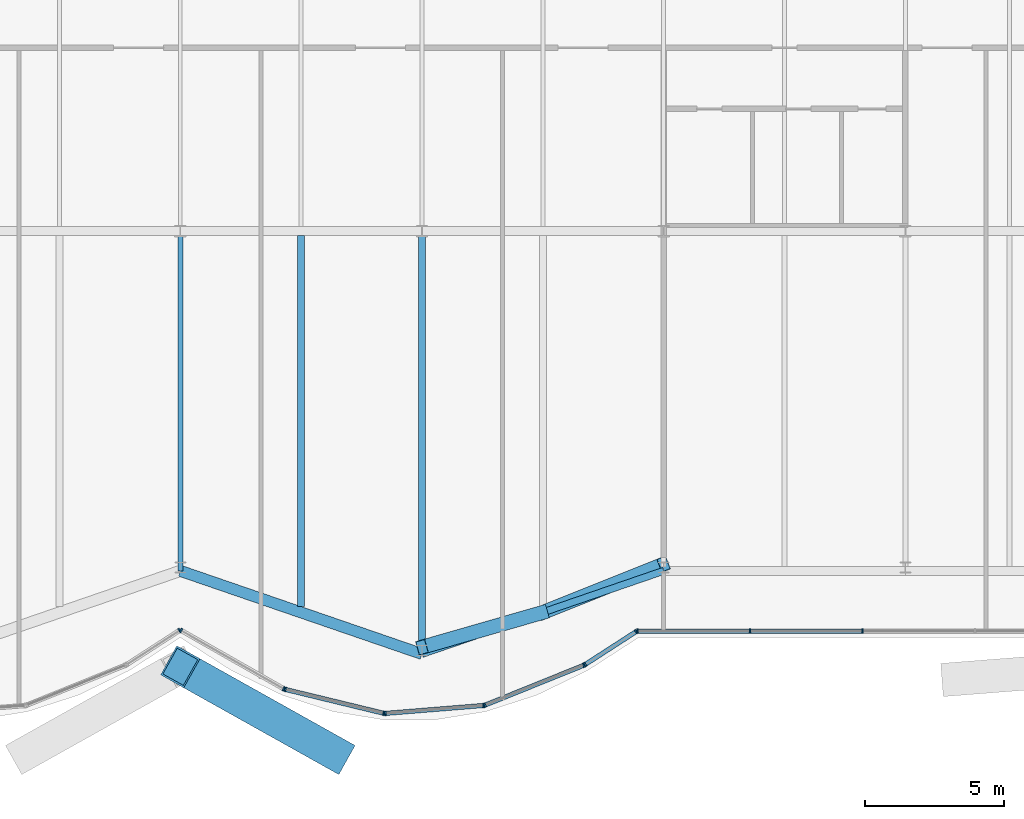
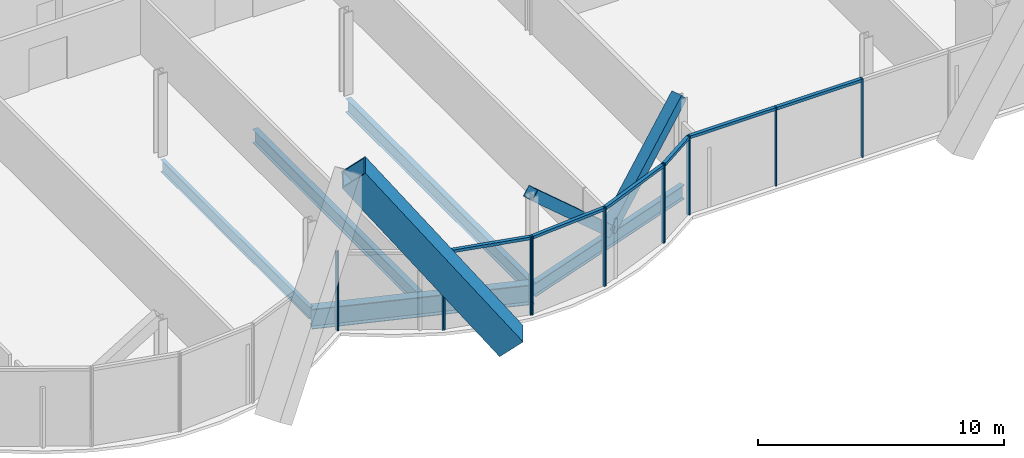
# One storey, part 8 of 21: 23 members, 5 beams, 3 elements without a shape of their own.
"""IFC4 building model written with IfcOpenShell, lengths in metres."""

from ifc_helpers import new_model, si_unit, direction, frame, origin, origin_2d, place, context, subcontext, project, spatial, rectangle, hollow_rectangle, i_section, extrude, material, material_profile, profile_set, type_object, element, aggregate, save


model = new_model("IFC4")

# Units and contexts
model_context = context("Model", 3, precision=1e-05, world=origin(), true_north=direction((0.0, 1.0)))
body_context = subcontext(model_context, "Body", "Model", "MODEL_VIEW")
ifc_project = project(units=[si_unit("LENGTHUNIT", "METRE"), si_unit("AREAUNIT", "SQUARE_METRE"), si_unit("VOLUMEUNIT", "CUBIC_METRE"), si_unit("PLANEANGLEUNIT", "RADIAN"), si_unit("MASSUNIT", "GRAM", prefix="KILO")], contexts=[model_context])

# Site, building, storey
site_placement = place(None, origin())
site = spatial("IfcSite", under=ifc_project, at=site_placement, CompositionType="ELEMENT")
building_placement = place(site_placement, origin())
building = spatial("IfcBuilding", under=site, at=building_placement, Name="Bicima Exchange Tower", CompositionType="ELEMENT")
storey_placement = place(building_placement, frame((0.0, 0.0, 130.89990234375)))
storey = spatial("IfcBuildingStorey", under=building, at=storey_placement, Name="L28", CompositionType="ELEMENT", Elevation=130.89990234375)

# Member
ifc_material_1 = material(Name="Steel ASTM A572 Gr 50", Category="steel")
ifc_material_profile_1 = material_profile(ifc_material_1, hollow_rectangle(XDim=1.199951171875, YDim=1.199951171875, WallThickness=0.070068359375, at=origin_2d()))
ifc_profile_set_1 = profile_set([ifc_material_profile_1], Name="Steel ASTM A572 Gr 50")
member_type_1 = type_object("IfcMemberType", Name="Exo mega brace BOX 1200x1200x70", PredefinedType="BRACE", material=ifc_profile_set_1)
member_1_placement = place(storey_placement, frame((5.583251953125, -40.8076171875, 0.183349609375), z_axis=(-0.528119121973, 0.295385530157, 0.796139172243), x_axis=(-0.488148920335, -0.872760351743, 0.0)))
element("IfcMember", 1, at=member_1_placement, inside=storey, type_object=member_type_1, Name="Exo mega brace front", PredefinedType="BRACE", context=body_context, shape_type="SweptSolid", body=[
    extrude(hollow_rectangle(XDim=1.199951171875, YDim=1.199951171875, WallThickness=0.070068359375, at=origin_2d()), origin(), (0.0, 0.0, 1.0), 10.572021484375),
])

# Beams
ifc_material_2 = material(Name="Steel ASTM A992 Gr 50", Category="steel")
ifc_material_profile_2 = material_profile(ifc_material_2, i_section(OverallWidth=0.177978515625, OverallDepth=0.599365234375, WebThickness=0.010009765625, FlangeThickness=0.012939453125, at=origin_2d()))
ifc_profile_set_2 = profile_set([ifc_material_profile_2], Name="Steel ASTM A992 Gr 50")
beam_type_1 = type_object("IfcBeamType", Name="Floor beam W24x55", PredefinedType="JOIST", material=ifc_profile_set_2)
beam_1_placement = place(storey_placement, frame((0.0, -22.16259765625, -0.44970703125), z_axis=(0.0, -1.0, 0.0), x_axis=(1.0, 0.0, 0.0)))
element("IfcBeam", 2, at=beam_1_placement, inside=storey, type_object=beam_type_1, Name="Floor beam", PredefinedType="JOIST", context=body_context, shape_type="SweptSolid", body=[
    extrude(i_section(OverallWidth=0.177978515625, OverallDepth=0.599365234375, WebThickness=0.010009765625, FlangeThickness=0.012939453125, at=origin_2d()), origin(), (0.0, 0.0, 1.0), 12.0693359375),
])
ifc_material_profile_3 = material_profile(ifc_material_2, i_section(OverallWidth=0.25390625, OverallDepth=0.67822265625, WebThickness=0.01171875, FlangeThickness=0.016357421875, at=origin_2d()))
ifc_profile_set_3 = profile_set([ifc_material_profile_3], Name="Steel ASTM A992 Gr 50")
beam_type_2 = type_object("IfcBeamType", Name="Floor beam W27x84", PredefinedType="JOIST", material=ifc_profile_set_3)
beam_2_placement = place(storey_placement, frame((4.35009765625, -22.16259765625, -0.489013671875), z_axis=(0.0, -1.0, 0.0), x_axis=(1.0, 0.0, 0.0)))
element("IfcBeam", 3, at=beam_2_placement, inside=storey, type_object=beam_type_2, Name="Floor beam", PredefinedType="JOIST", context=body_context, shape_type="SweptSolid", body=[
    extrude(i_section(OverallWidth=0.25390625, OverallDepth=0.67822265625, WebThickness=0.01171875, FlangeThickness=0.016357421875, at=origin_2d()), origin(), (0.0, 0.0, 1.0), 13.352783203125),
])
beam_3_placement = place(storey_placement, frame((8.699951171875, -22.16259765625, -0.489013671875), z_axis=(0.0, -1.0, 0.0), x_axis=(1.0, 0.0, 0.0)))
element("IfcBeam", 4, at=beam_3_placement, inside=storey, type_object=beam_type_2, Name="Floor beam", PredefinedType="JOIST", context=body_context, shape_type="SweptSolid", body=[
    extrude(i_section(OverallWidth=0.25390625, OverallDepth=0.67822265625, WebThickness=0.01171875, FlangeThickness=0.016357421875, at=origin_2d()), origin(), (0.0, 0.0, 1.0), 14.848388671875),
])
ifc_material_profile_4 = material_profile(ifc_material_2, i_section(OverallWidth=0.256591796875, OverallDepth=0.693359375, WebThickness=0.014404296875, FlangeThickness=0.023681640625, at=origin_2d()))
ifc_profile_set_4 = profile_set([ifc_material_profile_4], Name="Steel ASTM A992 Gr 50")
beam_type_3 = type_object("IfcBeamType", Name="Front girder W27x114", PredefinedType="BEAM", material=ifc_profile_set_4)
beam_4_placement = place(storey_placement, frame((8.699951171875, -37.22314453125, -0.49658203125), z_axis=(0.945666456746, 0.325138359143, 0.0), x_axis=(-0.325138359143, 0.945666456746, 0.0)))
element("IfcBeam", 5, at=beam_4_placement, inside=storey, type_object=beam_type_3, Name="Front girder", PredefinedType="BEAM", context=body_context, shape_type="SweptSolid", body=[
    extrude(i_section(OverallWidth=0.256591796875, OverallDepth=0.693359375, WebThickness=0.014404296875, FlangeThickness=0.023681640625, at=origin_2d()), origin(), (0.0, 0.0, 1.0), 9.19970703125),
])
ifc_material_profile_5 = material_profile(ifc_material_2, i_section(OverallWidth=0.4013671875, OverallDepth=0.990478515625, WebThickness=0.0166015625, FlangeThickness=0.031005859375, at=origin_2d()))
ifc_profile_set_5 = profile_set([ifc_material_profile_5], Name="Steel ASTM A992 Gr 50")
beam_type_4 = type_object("IfcBeamType", Name="Front girder W40x215", PredefinedType="BEAM", material=ifc_profile_set_5)
beam_5_placement = place(storey_placement, frame((0.0, -34.23193359375, -0.645263671875), z_axis=(0.945666456746, -0.325138359143, 0.0), x_axis=(0.325138359143, 0.945666456746, 0.0)))
element("IfcBeam", 6, at=beam_5_placement, inside=storey, type_object=beam_type_4, Name="Front girder", PredefinedType="BEAM", context=body_context, shape_type="SweptSolid", body=[
    extrude(i_section(OverallWidth=0.4013671875, OverallDepth=0.990478515625, WebThickness=0.0166015625, FlangeThickness=0.031005859375, at=origin_2d()), origin(), (0.0, 0.0, 1.0), 9.19970703125),
])

# Curtain wall, member
ifc_material_3 = material(Name="Anodised bronze aluminium", Category="aluminium")
curtain_wall_type = type_object("IfcCurtainWallType", Name="Front glass wall", PredefinedType="NOTDEFINED", material=ifc_material_3)
curtain_wall_1_placement = place(storey_placement, origin())
curtain_wall_1 = element("IfcCurtainWall", 7, at=curtain_wall_1_placement, inside=storey, type_object=curtain_wall_type, Name="Front glass wall L28 run 6", PredefinedType="NOTDEFINED")
ifc_material_profile_6 = material_profile(ifc_material_3, rectangle(XDim=0.159912109375, YDim=0.06005859375, at=origin_2d()))
ifc_profile_set_6 = profile_set([ifc_material_profile_6], Name="Anodised bronze aluminium")
member_type_2 = type_object("IfcMemberType", Name="Front glass wall mullion 60 x 160", PredefinedType="MULLION", material=ifc_profile_set_6)
member_2_placement = place(storey_placement, frame((-0.025146484375, -36.37451171875, 0.0), z_axis=(0.0, 0.0, 1.0), x_axis=(-0.542897457326, 0.839798994301, 0.0)))
member_2 = element("IfcMember", 8, at=member_2_placement, type_object=member_type_2, Name="Front glass wall mullion 2", PredefinedType="MULLION", context=body_context, shape_type="SweptSolid", body=[
    extrude(rectangle(XDim=0.159912109375, YDim=0.06005859375, at=origin_2d()), origin(), (0.0, 0.0, 1.0), 3.900146484375),
])
aggregate(curtain_wall_1, [member_2])

# Curtain wall, members
curtain_wall_2_placement = place(storey_placement, origin())
curtain_wall_2 = element("IfcCurtainWall", 9, at=curtain_wall_2_placement, inside=storey, type_object=curtain_wall_type, Name="Front glass wall L28 run 11", PredefinedType="NOTDEFINED")
member_3_placement = place(storey_placement, frame((0.026123046875, -36.373046875, 0.0), z_axis=(0.0, 0.0, 1.0), x_axis=(0.494330311331, 0.869274147378, 0.0)))
member_3 = element("IfcMember", 10, at=member_3_placement, type_object=member_type_2, Name="Front glass wall mullion 1", PredefinedType="MULLION", context=body_context, shape_type="SweptSolid", body=[
    extrude(rectangle(XDim=0.159912109375, YDim=0.06005859375, at=origin_2d()), origin(), (0.0, 0.0, 1.0), 3.900146484375),
])
member_4_placement = place(storey_placement, frame((3.7265625, -38.477294921875, 0.0), z_axis=(0.0, 0.0, 1.0), x_axis=(0.494330311331, 0.869274147378, 0.0)))
member_4 = element("IfcMember", 11, at=member_4_placement, type_object=member_type_2, Name="Front glass wall mullion 2", PredefinedType="MULLION", context=body_context, shape_type="SweptSolid", body=[
    extrude(rectangle(XDim=0.159912109375, YDim=0.06005859375, at=origin_2d()), origin(), (0.0, 0.0, 1.0), 3.900146484375),
])
member_5_placement = place(storey_placement, frame((3.781982421875, -38.499267578125, 0.0), z_axis=(0.0, 0.0, 1.0), x_axis=(0.235681529503, 0.971830343553, 0.0)))
member_5 = element("IfcMember", 12, at=member_5_placement, type_object=member_type_2, Name="Front glass wall mullion 1", PredefinedType="MULLION", context=body_context, shape_type="SweptSolid", body=[
    extrude(rectangle(XDim=0.159912109375, YDim=0.06005859375, at=origin_2d()), origin(), (0.0, 0.0, 1.0), 3.900146484375),
])
member_6_placement = place(storey_placement, frame((7.322509765625, -39.35791015625, 0.0), z_axis=(0.0, 0.0, 1.0), x_axis=(0.235681529503, 0.971830343553, 0.0)))
member_6 = element("IfcMember", 13, at=member_6_placement, type_object=member_type_2, Name="Front glass wall mullion 2", PredefinedType="MULLION", context=body_context, shape_type="SweptSolid", body=[
    extrude(rectangle(XDim=0.159912109375, YDim=0.06005859375, at=origin_2d()), origin(), (0.0, 0.0, 1.0), 3.900146484375),
])
member_7_placement = place(storey_placement, frame((7.381591796875, -39.362548828125, 0.0), z_axis=(0.0, 0.0, 1.0), x_axis=(-0.080588612633, 0.99674744821, 0.0)))
member_7 = element("IfcMember", 14, at=member_7_placement, type_object=member_type_2, Name="Front glass wall mullion 1", PredefinedType="MULLION", context=body_context, shape_type="SweptSolid", body=[
    extrude(rectangle(XDim=0.159912109375, YDim=0.06005859375, at=origin_2d()), origin(), (0.0, 0.0, 1.0), 3.900146484375),
])
member_8_placement = place(storey_placement, frame((10.916015625, -39.076904296875, 0.0), z_axis=(0.0, 0.0, 1.0), x_axis=(-0.080588612633, 0.99674744821, 0.0)))
member_8 = element("IfcMember", 15, at=member_8_placement, type_object=member_type_2, Name="Front glass wall mullion 2", PredefinedType="MULLION", context=body_context, shape_type="SweptSolid", body=[
    extrude(rectangle(XDim=0.159912109375, YDim=0.06005859375, at=origin_2d()), origin(), (0.0, 0.0, 1.0), 3.900146484375),
])
member_9_placement = place(storey_placement, frame((10.973876953125, -39.063232421875, 0.0), z_axis=(0.0, 0.0, 1.0), x_axis=(-0.374705304, 0.92714396679, 0.0)))
member_9 = element("IfcMember", 16, at=member_9_placement, type_object=member_type_2, Name="Front glass wall mullion 1", PredefinedType="MULLION", context=body_context, shape_type="SweptSolid", body=[
    extrude(rectangle(XDim=0.159912109375, YDim=0.06005859375, at=origin_2d()), origin(), (0.0, 0.0, 1.0), 3.900146484375),
])
member_10_placement = place(storey_placement, frame((14.52587890625, -37.627685546875, 0.0), z_axis=(0.0, 0.0, 1.0), x_axis=(-0.374705304, 0.92714396679, 0.0)))
member_10 = element("IfcMember", 17, at=member_10_placement, type_object=member_type_2, Name="Front glass wall mullion 2", PredefinedType="MULLION", context=body_context, shape_type="SweptSolid", body=[
    extrude(rectangle(XDim=0.159912109375, YDim=0.06005859375, at=origin_2d()), origin(), (0.0, 0.0, 1.0), 3.900146484375),
])
member_11_placement = place(storey_placement, frame((14.578857421875, -37.60009765625, 0.0), z_axis=(0.0, 0.0, 1.0), x_axis=(-0.542909183079, 0.839791413941, 0.0)))
member_11 = element("IfcMember", 18, at=member_11_placement, type_object=member_type_2, Name="Front glass wall mullion 1", PredefinedType="MULLION", context=body_context, shape_type="SweptSolid", body=[
    extrude(rectangle(XDim=0.159912109375, YDim=0.06005859375, at=origin_2d()), origin(), (0.0, 0.0, 1.0), 3.900146484375),
])
member_12_placement = place(storey_placement, frame((16.406982421875, -36.418212890625, 0.0), z_axis=(0.0, 0.0, 1.0), x_axis=(-0.542909183079, 0.839791413941, 0.0)))
member_12 = element("IfcMember", 19, at=member_12_placement, type_object=member_type_2, Name="Front glass wall mullion 2", PredefinedType="MULLION", context=body_context, shape_type="SweptSolid", body=[
    extrude(rectangle(XDim=0.159912109375, YDim=0.06005859375, at=origin_2d()), origin(), (0.0, 0.0, 1.0), 3.900146484375),
])

curtain_wall_3_placement = place(storey_placement, origin())
curtain_wall_3 = element("IfcCurtainWall", 20, at=curtain_wall_3_placement, inside=storey, type_object=curtain_wall_type, Name="Front glass wall L28 run 16", PredefinedType="NOTDEFINED")
member_13_placement = place(storey_placement, frame((16.462158203125, -36.402099609375, 0.0), z_axis=(0.0, 0.0, 1.0), x_axis=(0.0, 1.0, 0.0)))
member_13 = element("IfcMember", 21, at=member_13_placement, type_object=member_type_2, Name="Front glass wall mullion 1", PredefinedType="MULLION", context=body_context, shape_type="SweptSolid", body=[
    extrude(rectangle(XDim=0.159912109375, YDim=0.06005859375, at=origin_2d()), origin(), (0.0, 0.0, 1.0), 3.900146484375),
])
member_14_placement = place(storey_placement, frame((20.51171875, -36.402099609375, 0.0), z_axis=(0.0, 0.0, 1.0), x_axis=(0.0, 1.0, 0.0)))
member_14 = element("IfcMember", 22, at=member_14_placement, type_object=member_type_2, Name="Front glass wall mullion 2", PredefinedType="MULLION", context=body_context, shape_type="SweptSolid", body=[
    extrude(rectangle(XDim=0.159912109375, YDim=0.06005859375, at=origin_2d()), origin(), (0.0, 0.0, 1.0), 3.900146484375),
])
member_15_placement = place(storey_placement, frame((24.56103515625, -36.402099609375, 0.0), z_axis=(0.0, 0.0, 1.0), x_axis=(0.0, 1.0, 0.0)))
member_15 = element("IfcMember", 23, at=member_15_placement, type_object=member_type_2, Name="Front glass wall mullion 3", PredefinedType="MULLION", context=body_context, shape_type="SweptSolid", body=[
    extrude(rectangle(XDim=0.159912109375, YDim=0.06005859375, at=origin_2d()), origin(), (0.0, 0.0, 1.0), 3.900146484375),
])

# Member
ifc_material_profile_7 = material_profile(ifc_material_3, rectangle(XDim=0.159912109375, YDim=0.139892578125, at=origin_2d()))
ifc_profile_set_7 = profile_set([ifc_material_profile_7], Name="Anodised bronze aluminium")
member_type_3 = type_object("IfcMemberType", Name="Front glass wall transom 140 x 160", PredefinedType="USERDEFINED", material=ifc_profile_set_7)
member_16_placement = place(storey_placement, frame((3.81103515625, -38.50634765625, 3.830078125), z_axis=(0.971833557815, -0.235668275132, 0.0), x_axis=(0.235668275132, 0.971833557815, 0.0)))
member_16 = element("IfcMember", 24, at=member_16_placement, type_object=member_type_3, Name="Front glass wall transom 1.1", ObjectType="TRANSOM", PredefinedType="USERDEFINED", context=body_context, shape_type="SweptSolid", body=[
    extrude(rectangle(XDim=0.159912109375, YDim=0.139892578125, at=origin_2d()), origin(), (0.0, 0.0, 1.0), 3.583251953125),
])

member_17_placement = place(storey_placement, frame((7.41162109375, -39.360107421875, 3.830078125), z_axis=(0.9967456465, 0.080610893699, 0.0), x_axis=(-0.080610893699, 0.9967456465, 0.0)))
member_17 = element("IfcMember", 25, at=member_17_placement, type_object=member_type_3, Name="Front glass wall transom 1.1", ObjectType="TRANSOM", PredefinedType="USERDEFINED", context=body_context, shape_type="SweptSolid", body=[
    extrude(rectangle(XDim=0.159912109375, YDim=0.139892578125, at=origin_2d()), origin(), (0.0, 0.0, 1.0), 3.48583984375),
])

member_18_placement = place(storey_placement, frame((11.001708984375, -39.052001953125, 3.830078125), z_axis=(0.927140215882, 0.374714584842, 0.0), x_axis=(-0.374714584842, 0.927140215882, 0.0)))
member_18 = element("IfcMember", 26, at=member_18_placement, type_object=member_type_3, Name="Front glass wall transom 1.1", ObjectType="TRANSOM", PredefinedType="USERDEFINED", context=body_context, shape_type="SweptSolid", body=[
    extrude(rectangle(XDim=0.159912109375, YDim=0.139892578125, at=origin_2d()), origin(), (0.0, 0.0, 1.0), 3.77099609375),
])

member_19_placement = place(storey_placement, frame((14.60400390625, -37.583740234375, 3.830078125), z_axis=(0.839792890287, 0.542906899407, 0.0), x_axis=(-0.542906899407, 0.839792890287, 0.0)))
member_19 = element("IfcMember", 27, at=member_19_placement, type_object=member_type_3, Name="Front glass wall transom 1.1", ObjectType="TRANSOM", PredefinedType="USERDEFINED", context=body_context, shape_type="SweptSolid", body=[
    extrude(rectangle(XDim=0.159912109375, YDim=0.139892578125, at=origin_2d()), origin(), (0.0, 0.0, 1.0), 2.11669921875),
])

aggregate(curtain_wall_2, [member_3, member_4, member_5, member_6, member_16, member_7, member_8, member_17, member_9, member_10, member_18, member_11, member_12, member_19])

member_20_placement = place(storey_placement, frame((16.4921875, -36.402099609375, 3.830078125), z_axis=(1.0, 0.0, 0.0), x_axis=(0.0, 1.0, 0.0)))
member_20 = element("IfcMember", 28, at=member_20_placement, type_object=member_type_3, Name="Front glass wall transom 1.1", ObjectType="TRANSOM", PredefinedType="USERDEFINED", context=body_context, shape_type="SweptSolid", body=[
    extrude(rectangle(XDim=0.159912109375, YDim=0.139892578125, at=origin_2d()), origin(), (0.0, 0.0, 1.0), 3.989501953125),
])

member_21_placement = place(storey_placement, frame((20.54150390625, -36.402099609375, 3.830078125), z_axis=(1.0, 0.0, 0.0), x_axis=(0.0, 1.0, 0.0)))
member_21 = element("IfcMember", 29, at=member_21_placement, type_object=member_type_3, Name="Front glass wall transom 2.1", ObjectType="TRANSOM", PredefinedType="USERDEFINED", context=body_context, shape_type="SweptSolid", body=[
    extrude(rectangle(XDim=0.159912109375, YDim=0.139892578125, at=origin_2d()), origin(), (0.0, 0.0, 1.0), 3.989501953125),
])

aggregate(curtain_wall_3, [member_13, member_14, member_15, member_20, member_21])

# Members
ifc_material_profile_8 = material_profile(ifc_material_1, hollow_rectangle(XDim=0.508056640625, YDim=0.508056640625, WallThickness=0.0146484375, at=origin_2d()))
ifc_profile_set_8 = profile_set([ifc_material_profile_8], Name="Steel ASTM A572 Gr 50")
member_type_4 = type_object("IfcMemberType", Name="Mega brace HSS20x20x5/8", PredefinedType="BRACE", material=ifc_profile_set_8)
member_22_placement = place(storey_placement, frame((13.050048828125, -35.7275390625, 0.0), z_axis=(0.69870612412, 0.279411861388, 0.658588463179), x_axis=(-0.371309808925, 0.928509033772, 0.0)))
element("IfcMember", 30, at=member_22_placement, inside=storey, type_object=member_type_4, Name="Mega brace front", PredefinedType="BRACE", context=body_context, shape_type="SweptSolid", body=[
    extrude(hollow_rectangle(XDim=0.508056640625, YDim=0.508056640625, WallThickness=0.0146484375, at=origin_2d()), origin(), (0.0, 0.0, 1.0), 6.2255859375),
])
member_23_placement = place(storey_placement, frame((13.050048828125, -35.7275390625, 0.0), z_axis=(-0.712266893938, -0.204909647453, 0.671332933931), x_axis=(0.276473064615, -0.961021667052, 0.0)))
element("IfcMember", 31, at=member_23_placement, inside=storey, type_object=member_type_4, Name="Mega brace front", PredefinedType="BRACE", context=body_context, shape_type="SweptSolid", body=[
    extrude(hollow_rectangle(XDim=0.508056640625, YDim=0.508056640625, WallThickness=0.0146484375, at=origin_2d()), origin(), (0.0, 0.0, 1.0), 6.107421875),
])

save(model, "model.ifc")
